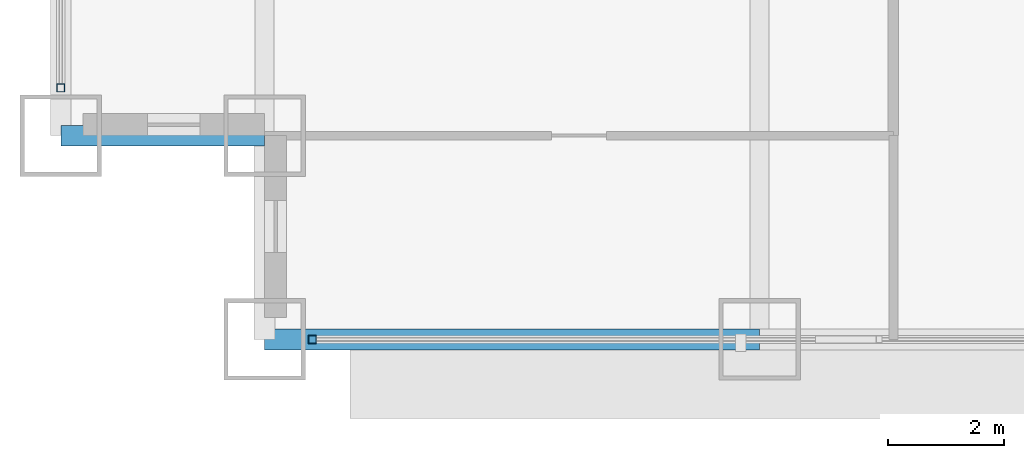
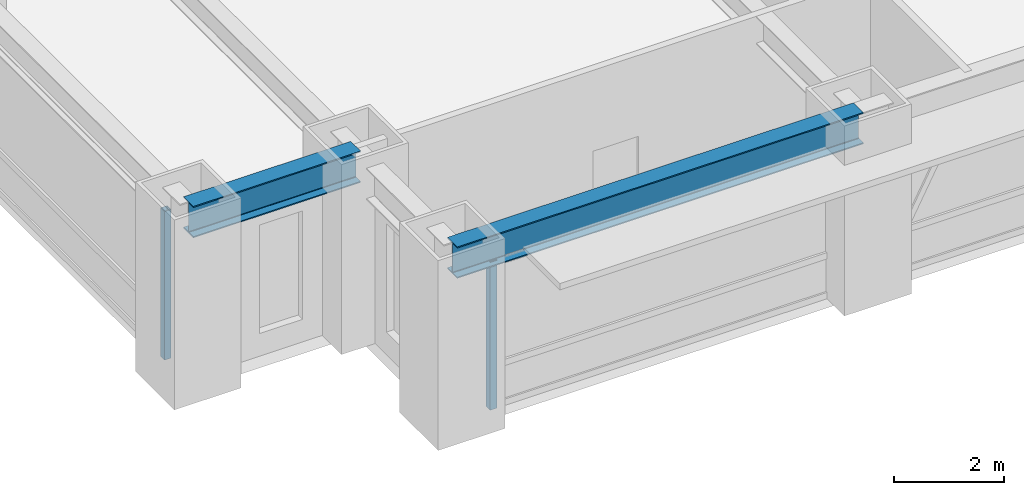
# One storey, part 2 of 31: 2 beams, 2 members, 2 elements without a shape of their own.
"""IFC4 building model written with IfcOpenShell, lengths in metres."""

from ifc_helpers import new_model, si_unit, direction, frame, origin, origin_2d, place, context, subcontext, project, spatial, hollow_rectangle, i_section, extrude, source, transform, mapped, material, material_profile, profile_set, type_object, element, aggregate, save


model = new_model("IFC4")

# Units and contexts
model_context = context("Model", 3, precision=1e-05, world=origin(), true_north=direction((0.0, 1.0)))
body_context = subcontext(model_context, "Body", "Model", "MODEL_VIEW")
ifc_project = project(units=[si_unit("LENGTHUNIT", "METRE"), si_unit("AREAUNIT", "SQUARE_METRE"), si_unit("VOLUMEUNIT", "CUBIC_METRE"), si_unit("PLANEANGLEUNIT", "RADIAN"), si_unit("MASSUNIT", "GRAM", prefix="KILO")], contexts=[model_context])

# Site, building, storey
site_placement = place(None, origin())
site = spatial("IfcSite", under=ifc_project, at=site_placement, CompositionType="ELEMENT")
building_placement = place(site_placement, origin())
building = spatial("IfcBuilding", under=site, at=building_placement, Name="Khorayat Bourse Tower", CompositionType="ELEMENT")
storey_placement = place(building_placement, frame((0.0, 0.0, 32.60009765625)))
storey = spatial("IfcBuildingStorey", under=building, at=storey_placement, Name="L06", CompositionType="ELEMENT", Elevation=32.60009765625)

# Beams
ifc_material_1 = material(Name="Steel ASTM A992 Grade 50", Category="steel")
ifc_material_profile_1 = material_profile(ifc_material_1, i_section(OverallWidth=0.35498046875, OverallDepth=0.695068359375, WebThickness=0.015380859375, FlangeThickness=0.02490234375, FilletRadius=0.01806640625, at=origin_2d()), Name="W690X217")
ifc_profile_set_1 = profile_set([ifc_material_profile_1], Name="Steel ASTM A992 Grade 50")
beam_type = type_object("IfcBeamType", Name="BM-SPAN-690", PredefinedType="SPANDREL", material=ifc_profile_set_1)
shared_shape_1 = source(origin(), body_context, "Body", "SweptSolid", [
    extrude(i_section(OverallWidth=0.35498046875, OverallDepth=0.695068359375, WebThickness=0.015380859375, FlangeThickness=0.02490234375, FilletRadius=0.01806640625, at=origin_2d()), origin(), (0.0, 0.0, 1.0), 8.5),
])
beam_1_placement = place(storey_placement, frame((-28.5, -32.0, 3.59228515625), z_axis=(1.0, 0.0, 0.0), x_axis=(0.0, 1.0, 0.0)))
element("IfcBeam", 1, at=beam_1_placement, inside=storey, type_object=beam_type, Name="L06 BM-SPAN-690 BM-L06-SPN-024", PredefinedType="SPANDREL", context=body_context, shape_type="MappedRepresentation", body=[
    mapped(shared_shape_1, transform((0.0, 0.0, 0.0), scale=1.0)),
])
shared_shape_2 = source(origin(), body_context, "Body", "SweptSolid", [
    extrude(i_section(OverallWidth=0.35498046875, OverallDepth=0.695068359375, WebThickness=0.015380859375, FlangeThickness=0.02490234375, FilletRadius=0.01806640625, at=origin_2d()), origin(), (0.0, 0.0, 1.0), 3.5),
])
beam_2_placement = place(storey_placement, frame((-32.0, -28.5, 3.59228515625), z_axis=(1.0, 0.0, 0.0), x_axis=(0.0, 1.0, 0.0)))
element("IfcBeam", 2, at=beam_2_placement, inside=storey, type_object=beam_type, Name="L06 BM-SPAN-690 BM-L06-SPN-062", PredefinedType="SPANDREL", context=body_context, shape_type="MappedRepresentation", body=[
    mapped(shared_shape_2, transform((0.0, 0.0, 0.0), scale=1.0)),
])

# Curtain wall, member
ifc_material_2 = material(Name="Aluminium EN AW-6063 T6", Category="aluminium")
curtain_wall_type = type_object("IfcCurtainWallType", Name="CW-SYS-02", PredefinedType="NOTDEFINED", material=ifc_material_2)
curtain_wall_1_placement = place(storey_placement, origin())
curtain_wall_1 = element("IfcCurtainWall", 3, at=curtain_wall_1_placement, inside=storey, type_object=curtain_wall_type, Name="L06 Curtain Wall CW-L06-S1", PredefinedType="NOTDEFINED")
ifc_material_profile_2 = material_profile(ifc_material_2, hollow_rectangle(XDim=0.139892578125, YDim=0.139892578125, WallThickness=0.006103515625, at=origin_2d()), Name="ALU 140x140x6")
ifc_profile_set_2 = profile_set([ifc_material_profile_2], Name="Aluminium EN AW-6063 T6")
member_type = type_object("IfcMemberType", Name="CWM-VERT-140", PredefinedType="MULLION", material=ifc_profile_set_2)
shared_shape_3 = source(origin(), body_context, "Body", "SweptSolid", [
    extrude(hollow_rectangle(XDim=0.139892578125, YDim=0.139892578125, WallThickness=0.006103515625, at=origin_2d()), origin(), (0.0, 0.0, 1.0), 3.289794921875),
])
member_1_placement = place(storey_placement, frame((-27.679931640625, -32.0, 0.0), z_axis=(0.0, 0.0, 1.0), x_axis=(0.0, 1.0, 0.0)))
member_1 = element("IfcMember", 4, at=member_1_placement, type_object=member_type, Name="CW-L06-S1 Vertical Mullion 1", PredefinedType="MULLION", context=body_context, shape_type="MappedRepresentation", body=[
    mapped(shared_shape_3, transform((0.0, 0.0, 0.0), scale=1.0)),
])
aggregate(curtain_wall_1, [member_1])

curtain_wall_2_placement = place(storey_placement, origin())
curtain_wall_2 = element("IfcCurtainWall", 5, at=curtain_wall_2_placement, inside=storey, type_object=curtain_wall_type, Name="L06 Curtain Wall CW-L06-W1", PredefinedType="NOTDEFINED")
member_2_placement = place(storey_placement, frame((-32.0, -27.679931640625, 0.0), z_axis=(0.0, 0.0, 1.0), x_axis=(-1.0, 0.0, 0.0)))
member_2 = element("IfcMember", 6, at=member_2_placement, type_object=member_type, Name="CW-L06-W1 Vertical Mullion 1", PredefinedType="MULLION", context=body_context, shape_type="MappedRepresentation", body=[
    mapped(shared_shape_3, transform((0.0, 0.0, 0.0), scale=1.0)),
])
aggregate(curtain_wall_2, [member_2])

save(model, "model.ifc")
